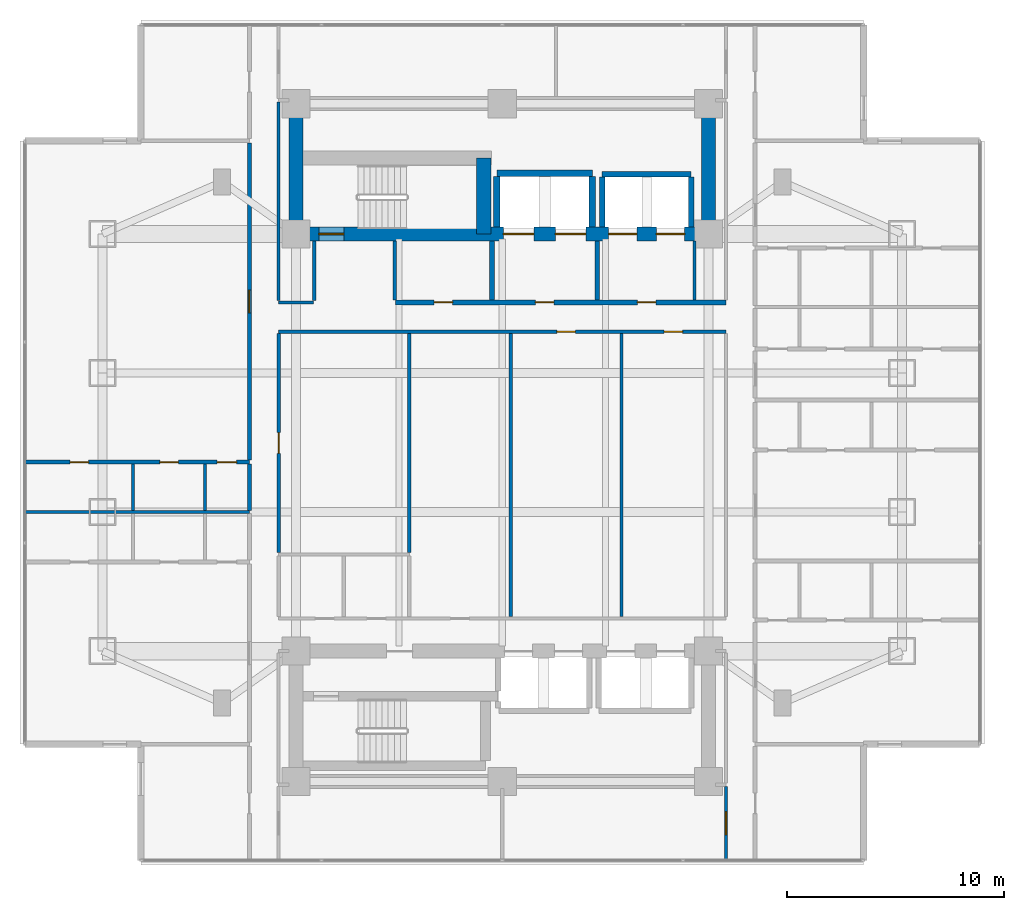
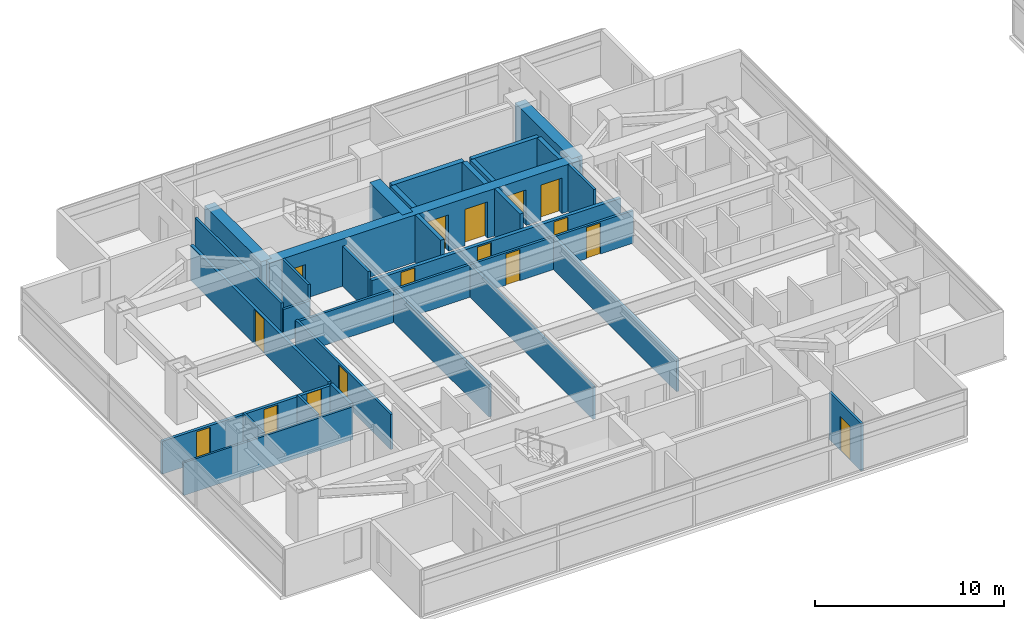
# One storey, part 14 of 24: 30 walls, 16 doors, 16 openings.
"""IFC4 building model written with IfcOpenShell, lengths in metres."""

from ifc_helpers import new_model, si_unit, direction, frame, frame_2d, origin, place, context, subcontext, project, spatial, rectangle, extrude, material, layer, layer_set, type_object, element, fill, save


model = new_model("IFC4")

# Units and contexts
model_context = context("Model", 3, precision=1e-05, world=origin(), true_north=direction((0.0, 1.0)))
body_context = subcontext(model_context, "Body", "Model", "MODEL_VIEW")
ifc_project = project(units=[si_unit("LENGTHUNIT", "METRE"), si_unit("AREAUNIT", "SQUARE_METRE"), si_unit("VOLUMEUNIT", "CUBIC_METRE"), si_unit("PLANEANGLEUNIT", "RADIAN"), si_unit("MASSUNIT", "GRAM", prefix="KILO")], contexts=[model_context])

# Site, building, storey
site_placement = place(None, origin())
site = spatial("IfcSite", under=ifc_project, at=site_placement, CompositionType="ELEMENT")
building_placement = place(site_placement, origin())
building = spatial("IfcBuilding", under=site, at=building_placement, Name="Mirazonda Arch Towers", CompositionType="ELEMENT")
storey_placement = place(building_placement, frame((0.0, 0.0, 68.60009765625)))
storey = spatial("IfcBuildingStorey", under=building, at=storey_placement, Name="L19", CompositionType="ELEMENT", Elevation=68.60009765625)

# Walls
ifc_material_1 = material(Name="Concrete C60/75", Category="concrete")
ifc_layer_1 = layer(ifc_material_1, 0.64990234375, Name="WALL-CORE-650")
ifc_layer_set_1 = layer_set([ifc_layer_1], Name="Concrete C60/75")
wall_type_1 = type_object("IfcWallType", Name="WALL-CORE-650", PredefinedType="SHEAR", material=ifc_layer_set_1)
for number, where, z_axis, x_axis, name in (
    (1, (11.0, 37.60009765625, 0.0), (0.0, 0.0, 1.0), (0.0, 1.0, 0.0), "L19 T1N-W Core Shear Wall"),
    (2, (30.0, 37.60009765625, 0.0), (0.0, 0.0, 1.0), (0.0, 1.0, 0.0), "L19 T1N-E Core Shear Wall"),
):
    element("IfcWall", number, at=place(storey_placement, frame(where, z_axis=z_axis, x_axis=x_axis)), inside=storey, type_object=wall_type_1, Name=name, PredefinedType="SHEAR", context=body_context, shape_type="SweptSolid", body=[
        extrude(rectangle(XDim=6.0, YDim=0.64990234375, at=frame_2d((3.0, 0.0))), origin(), (0.0, 0.0, 1.0), 3.059814453125),
    ])

# Wall, openings, doors
wall_1_placement = place(storey_placement, frame((11.0, 37.60009765625, 0.0), z_axis=(0.0, 0.0, 1.0), x_axis=(1.0, 0.0, 0.0)))
wall_1 = element("IfcWall", 3, at=wall_1_placement, inside=storey, type_object=wall_type_1, Name="L19 T1N-S Core Shear Wall", PredefinedType="SHEAR", context=body_context, shape_type="SweptSolid", body=[
    extrude(rectangle(XDim=19.0, YDim=0.64990234375, at=frame_2d((9.5, 0.0))), origin(), (0.0, 0.0, 1.0), 3.059814453125),
])
opening_1_placement = place(wall_1_placement, frame((1.06005859375, 0.0, 0.0)))
opening_1 = element("IfcOpeningElement", 4, at=opening_1_placement, cuts=wall_1, Name="Opening DR-135", PredefinedType="OPENING", context=body_context, shape_type="SweptSolid", body=[
    extrude(rectangle(XDim=1.14990234375, YDim=2.199951171875, at=frame_2d((0.574951171875, 1.10009765625))), frame((0.0, 0.3349609375, 0.0), z_axis=(0.0, -1.0, 0.0), x_axis=(1.0, 0.0, 0.0)), (0.0, 0.0, 1.0), 0.669921875),
])
opening_2_placement = place(wall_1_placement, frame((9.550048828125, 0.0, 0.0)))
opening_2 = element("IfcOpeningElement", 5, at=opening_2_placement, cuts=wall_1, Name="Opening LD-112", PredefinedType="OPENING", context=body_context, shape_type="SweptSolid", body=[
    extrude(rectangle(XDim=1.39990234375, YDim=2.35009765625, at=frame_2d((0.699951171875, 1.175048828125))), frame((0.0, 0.3349609375, 0.0), z_axis=(0.0, -1.0, 0.0), x_axis=(1.0, 0.0, 0.0)), (0.0, 0.0, 1.0), 0.669921875),
])
opening_3_placement = place(wall_1_placement, frame((11.949951171875, 0.0, 0.0)))
opening_3 = element("IfcOpeningElement", 6, at=opening_3_placement, cuts=wall_1, Name="Opening LD-112", PredefinedType="OPENING", context=body_context, shape_type="SweptSolid", body=[
    extrude(rectangle(XDim=1.39990234375, YDim=2.35009765625, at=frame_2d((0.699951171875, 1.175048828125))), frame((0.0, 0.3349609375, 0.0), z_axis=(0.0, -1.0, 0.0), x_axis=(1.0, 0.0, 0.0)), (0.0, 0.0, 1.0), 0.669921875),
])
opening_4_placement = place(wall_1_placement, frame((14.39990234375, 0.0, 0.0)))
opening_4 = element("IfcOpeningElement", 7, at=opening_4_placement, cuts=wall_1, Name="Opening LD-111", PredefinedType="OPENING", context=body_context, shape_type="SweptSolid", body=[
    extrude(rectangle(XDim=1.300048828125, YDim=2.300048828125, at=frame_2d((0.64990234375, 1.14990234375))), frame((0.0, 0.3349609375, 0.0), z_axis=(0.0, -1.0, 0.0), x_axis=(1.0, 0.0, 0.0)), (0.0, 0.0, 1.0), 0.669921875),
])
opening_5_placement = place(wall_1_placement, frame((16.60009765625, 0.0, 0.0)))
opening_5 = element("IfcOpeningElement", 8, at=opening_5_placement, cuts=wall_1, Name="Opening LD-111", PredefinedType="OPENING", context=body_context, shape_type="SweptSolid", body=[
    extrude(rectangle(XDim=1.300048828125, YDim=2.300048828125, at=frame_2d((0.64990234375, 1.14990234375))), frame((0.0, 0.3349609375, 0.0), z_axis=(0.0, -1.0, 0.0), x_axis=(1.0, 0.0, 0.0)), (0.0, 0.0, 1.0), 0.669921875),
])
ifc_material_2 = material(Name="Architectural Brushed Steel S355", Category="steel")
door_type_1 = type_object("IfcDoorType", Name="DOOR-LIFT-FFL-1400", OperationType="NOTDEFINED", PredefinedType="DOOR", material=ifc_material_2)
door_1_placement = place(opening_2_placement, origin())
door_1 = element("IfcDoor", 9, at=door_1_placement, inside=storey, type_object=door_type_1, Name="L19 Lift Landing Sliding Door FFL-T1", OperationType="DOUBLE_DOOR_SLIDING", OverallHeight=2.35009765625, OverallWidth=1.39990234375, PredefinedType="DOOR", context=body_context, shape_type="SweptSolid", body=[
    extrude(rectangle(XDim=1.39990234375, YDim=2.35009765625, at=frame_2d((0.699951171875, 1.175048828125))), frame((0.0, 0.02490234375, 0.0), z_axis=(0.0, -1.0, 0.0), x_axis=(1.0, 0.0, 0.0)), (0.0, 0.0, 1.0), 0.050048828125),
])
fill(opening_2, door_1)
door_2_placement = place(opening_3_placement, origin())
door_2 = element("IfcDoor", 10, at=door_2_placement, inside=storey, type_object=door_type_1, Name="L19 Lift Landing Sliding Door SVL-T1", OperationType="DOUBLE_DOOR_SLIDING", OverallHeight=2.35009765625, OverallWidth=1.39990234375, PredefinedType="DOOR", context=body_context, shape_type="SweptSolid", body=[
    extrude(rectangle(XDim=1.39990234375, YDim=2.35009765625, at=frame_2d((0.699951171875, 1.175048828125))), frame((0.0, 0.02490234375, 0.0), z_axis=(0.0, -1.0, 0.0), x_axis=(1.0, 0.0, 0.0)), (0.0, 0.0, 1.0), 0.050048828125),
])
fill(opening_3, door_2)
door_type_2 = type_object("IfcDoorType", Name="DOOR-LIFT-LAND-1300", OperationType="NOTDEFINED", PredefinedType="DOOR", material=ifc_material_2)
door_3_placement = place(opening_4_placement, origin())
door_3 = element("IfcDoor", 11, at=door_3_placement, inside=storey, type_object=door_type_2, Name="L19 Lift Landing Sliding Door PL-T1L1", OperationType="DOUBLE_DOOR_SLIDING", OverallHeight=2.300048828125, OverallWidth=1.300048828125, PredefinedType="DOOR", context=body_context, shape_type="SweptSolid", body=[
    extrude(rectangle(XDim=1.300048828125, YDim=2.300048828125, at=frame_2d((0.64990234375, 1.14990234375))), frame((0.0, 0.02490234375, 0.0), z_axis=(0.0, -1.0, 0.0), x_axis=(1.0, 0.0, 0.0)), (0.0, 0.0, 1.0), 0.050048828125),
])
fill(opening_4, door_3)
door_4_placement = place(opening_5_placement, origin())
door_4 = element("IfcDoor", 12, at=door_4_placement, inside=storey, type_object=door_type_2, Name="L19 Lift Landing Sliding Door PL-T1L2", OperationType="DOUBLE_DOOR_SLIDING", OverallHeight=2.300048828125, OverallWidth=1.300048828125, PredefinedType="DOOR", context=body_context, shape_type="SweptSolid", body=[
    extrude(rectangle(XDim=1.300048828125, YDim=2.300048828125, at=frame_2d((0.64990234375, 1.14990234375))), frame((0.0, 0.02490234375, 0.0), z_axis=(0.0, -1.0, 0.0), x_axis=(1.0, 0.0, 0.0)), (0.0, 0.0, 1.0), 0.050048828125),
])
fill(opening_5, door_4)
door_type_3 = type_object("IfcDoorType", Name="DOOR-STAIR-FD90-1150", OperationType="NOTDEFINED", PredefinedType="DOOR", material=ifc_material_2)
door_5_placement = place(opening_1_placement, origin())
door_5 = element("IfcDoor", 13, at=door_5_placement, inside=storey, type_object=door_type_3, Name="L19 Protected Exit Stair North Door", OperationType="SINGLE_SWING_RIGHT", OverallHeight=2.199951171875, OverallWidth=1.14990234375, PredefinedType="DOOR", context=body_context, shape_type="SweptSolid", body=[
    extrude(rectangle(XDim=1.14990234375, YDim=2.199951171875, at=frame_2d((0.574951171875, 1.10009765625))), frame((0.0, 0.02490234375, 0.0), z_axis=(0.0, -1.0, 0.0), x_axis=(1.0, 0.0, 0.0)), (0.0, 0.0, 1.0), 0.050048828125),
])
fill(opening_1, door_5)

# Wall
wall_2_placement = place(storey_placement, frame((19.64990234375, 37.60009765625, 0.0), z_axis=(0.0, 0.0, 1.0), x_axis=(0.0, 1.0, 0.0)))
element("IfcWall", 14, at=wall_2_placement, inside=storey, type_object=wall_type_1, Name="L19 T1N-STE Core Shear Wall", PredefinedType="SHEAR", context=body_context, shape_type="SweptSolid", body=[
    extrude(rectangle(XDim=3.492919921875, YDim=0.64990234375, at=frame_2d((1.74658203125, 0.0))), origin(), (0.0, 0.0, 1.0), 3.059814453125),
])

# Wall, openings, doors
ifc_material_3 = material(Name="Concrete C40/50", Category="concrete")
ifc_layer_2 = layer(ifc_material_3, 0.219970703125, Name="WALL-FFL-220")
ifc_layer_set_2 = layer_set([ifc_layer_2], Name="Concrete C40/50")
wall_type_2 = type_object("IfcWallType", Name="WALL-FFL-220", PredefinedType="SOLIDWALL", material=ifc_layer_set_2)
wall_3_placement = place(storey_placement, frame((15.590087890625, 34.449951171875, 0.0), z_axis=(0.0, 0.0, 1.0), x_axis=(1.0, 0.0, 0.0)))
wall_3 = element("IfcWall", 15, at=wall_3_placement, inside=storey, type_object=wall_type_2, Name="L19 Interior Partition 041", PredefinedType="SOLIDWALL", context=body_context, shape_type="SweptSolid", body=[
    extrude(rectangle(XDim=15.2099609375, YDim=0.219970703125, at=frame_2d((7.60498046875, 0.0))), origin(), (0.0, 0.0, 1.0), 2.10400390625),
])
opening_6_placement = place(wall_3_placement, frame((6.43505859375, 0.0, 0.0)))
opening_6 = element("IfcOpeningElement", 16, at=opening_6_placement, cuts=wall_3, Name="Opening DR-128", PredefinedType="OPENING", context=body_context, shape_type="SweptSolid", body=[
    extrude(rectangle(XDim=0.85009765625, YDim=2.010009765625, at=frame_2d((0.425048828125, 1.0048828125))), frame((0.0, 0.119873046875, 0.0), z_axis=(0.0, -1.0, 0.0), x_axis=(1.0, 0.0, 0.0)), (0.0, 0.0, 1.0), 0.239990234375),
])
opening_7_placement = place(wall_3_placement, frame((11.135009765625, 0.0, 0.0)))
opening_7 = element("IfcOpeningElement", 17, at=opening_7_placement, cuts=wall_3, Name="Opening DR-128", PredefinedType="OPENING", context=body_context, shape_type="SweptSolid", body=[
    extrude(rectangle(XDim=0.85009765625, YDim=2.010009765625, at=frame_2d((0.425048828125, 1.0048828125))), frame((0.0, 0.119873046875, 0.0), z_axis=(0.0, -1.0, 0.0), x_axis=(1.0, 0.0, 0.0)), (0.0, 0.0, 1.0), 0.239990234375),
])
opening_8_placement = place(wall_3_placement, frame((1.77490234375, 0.0, 0.0)))
opening_8 = element("IfcOpeningElement", 18, at=opening_8_placement, cuts=wall_3, Name="Opening DR-128", PredefinedType="OPENING", context=body_context, shape_type="SweptSolid", body=[
    extrude(rectangle(XDim=0.85009765625, YDim=2.010009765625, at=frame_2d((0.425048828125, 1.0048828125))), frame((0.0, 0.119873046875, 0.0), z_axis=(0.0, -1.0, 0.0), x_axis=(1.0, 0.0, 0.0)), (0.0, 0.0, 1.0), 0.239990234375),
])
door_type_4 = type_object("IfcDoorType", Name="DOOR-RISER-FD60-850", OperationType="NOTDEFINED", PredefinedType="DOOR", material=ifc_material_2)
door_6_placement = place(opening_6_placement, origin())
door_6 = element("IfcDoor", 19, at=door_6_placement, inside=storey, type_object=door_type_4, Name="L19 Firefighting Lift Lobby Door", OperationType="SINGLE_SWING_LEFT", OverallHeight=2.010009765625, OverallWidth=0.85009765625, PredefinedType="DOOR", context=body_context, shape_type="SweptSolid", body=[
    extrude(rectangle(XDim=0.85009765625, YDim=2.010009765625, at=frame_2d((0.425048828125, 1.0048828125))), frame((0.0, 0.02490234375, 0.0), z_axis=(0.0, -1.0, 0.0), x_axis=(1.0, 0.0, 0.0)), (0.0, 0.0, 1.0), 0.050048828125),
])
fill(opening_6, door_6)
door_7_placement = place(opening_7_placement, origin())
door_7 = element("IfcDoor", 20, at=door_7_placement, inside=storey, type_object=door_type_4, Name="L19 Passenger Lift Lobby North Door", OperationType="SINGLE_SWING_RIGHT", OverallHeight=2.010009765625, OverallWidth=0.85009765625, PredefinedType="DOOR", context=body_context, shape_type="SweptSolid", body=[
    extrude(rectangle(XDim=0.85009765625, YDim=2.010009765625, at=frame_2d((0.425048828125, 1.0048828125))), frame((0.0, 0.02490234375, 0.0), z_axis=(0.0, -1.0, 0.0), x_axis=(1.0, 0.0, 0.0)), (0.0, 0.0, 1.0), 0.050048828125),
])
fill(opening_7, door_7)
door_8_placement = place(opening_8_placement, origin())
door_8 = element("IfcDoor", 21, at=door_8_placement, inside=storey, type_object=door_type_4, Name="L19 Housekeeping Linen Room Door", OperationType="SINGLE_SWING_LEFT", OverallHeight=2.010009765625, OverallWidth=0.85009765625, PredefinedType="DOOR", context=body_context, shape_type="SweptSolid", body=[
    extrude(rectangle(XDim=0.85009765625, YDim=2.010009765625, at=frame_2d((0.425048828125, 1.0048828125))), frame((0.0, 0.02490234375, 0.0), z_axis=(0.0, -1.0, 0.0), x_axis=(1.0, 0.0, 0.0)), (0.0, 0.0, 1.0), 0.050048828125),
])
fill(opening_8, door_8)

# Walls
for number, where, z_axis, x_axis, name in (
    (22, (20.02490234375, 34.570068359375, 0.0), (0.0, 0.0, 1.0), (0.0, 1.0, 0.0), "L19 Interior Partition 080"),
    (23, (24.875, 34.570068359375, 0.0), (0.0, 0.0, 1.0), (0.0, 1.0, 0.0), "L19 Interior Partition 090"),
):
    element("IfcWall", number, at=place(storey_placement, frame(where, z_axis=z_axis, x_axis=x_axis)), inside=storey, type_object=wall_type_2, Name=name, PredefinedType="SOLIDWALL", context=body_context, shape_type="SweptSolid", body=[
        extrude(rectangle(XDim=2.7099609375, YDim=0.219970703125, at=frame_2d((1.35498046875, 0.0))), origin(), (0.0, 0.0, 1.0), 3.059814453125),
    ])

# Wall, openings, doors
ifc_material_4 = material(Name="Fire-Rated Gypsum Stud Partition")
ifc_layer_3 = layer(ifc_material_4, 0.14990234375, Name="WALL-PART-CORR-150")
ifc_layer_set_3 = layer_set([ifc_layer_3], Name="Fire-Rated Gypsum Stud Partition")
wall_type_3 = type_object("IfcWallType", Name="WALL-PART-CORR-150", PredefinedType="PARTITIONING", material=ifc_layer_set_3)
wall_4_placement = place(storey_placement, frame((10.199951171875, 33.10009765625, 0.0), z_axis=(0.0, 0.0, 1.0), x_axis=(1.0, 0.0, 0.0)))
wall_4 = element("IfcWall", 24, at=wall_4_placement, inside=storey, type_object=wall_type_3, Name="L19 Interior Partition 038", PredefinedType="PARTITIONING", context=body_context, shape_type="SweptSolid", body=[
    extrude(rectangle(XDim=20.60009765625, YDim=0.14990234375, at=frame_2d((10.300048828125, 0.0))), origin(), (0.0, 0.0, 1.0), 2.10400390625),
])
opening_9_placement = place(wall_4_placement, frame((12.8125, 0.0, 0.0)))
opening_9 = element("IfcOpeningElement", 25, at=opening_9_placement, cuts=wall_4, Name="Opening DR-128", PredefinedType="OPENING", context=body_context, shape_type="SweptSolid", body=[
    extrude(rectangle(XDim=0.85009765625, YDim=2.010009765625, at=frame_2d((0.425048828125, 1.0048828125))), frame((0.0, 0.0849609375, 0.0), z_axis=(0.0, -1.0, 0.0), x_axis=(1.0, 0.0, 0.0)), (0.0, 0.0, 1.0), 0.169921875),
])
opening_10_placement = place(wall_4_placement, frame((17.74951171875, 0.0, 0.0)))
opening_10 = element("IfcOpeningElement", 26, at=opening_10_placement, cuts=wall_4, Name="Opening DR-128", PredefinedType="OPENING", context=body_context, shape_type="SweptSolid", body=[
    extrude(rectangle(XDim=0.85009765625, YDim=2.010009765625, at=frame_2d((0.425048828125, 1.0048828125))), frame((0.0, 0.0849609375, 0.0), z_axis=(0.0, -1.0, 0.0), x_axis=(1.0, 0.0, 0.0)), (0.0, 0.0, 1.0), 0.169921875),
])
door_9_placement = place(opening_9_placement, origin())
door_9 = element("IfcDoor", 27, at=door_9_placement, inside=storey, type_object=door_type_4, Name="L19 Private Dining Room Door", OperationType="SINGLE_SWING_RIGHT", OverallHeight=2.010009765625, OverallWidth=0.85009765625, PredefinedType="DOOR", context=body_context, shape_type="SweptSolid", body=[
    extrude(rectangle(XDim=0.85009765625, YDim=2.010009765625, at=frame_2d((0.425048828125, 1.0048828125))), frame((0.0, 0.02490234375, 0.0), z_axis=(0.0, -1.0, 0.0), x_axis=(1.0, 0.0, 0.0)), (0.0, 0.0, 1.0), 0.050048828125),
])
fill(opening_9, door_9)
door_10_placement = place(opening_10_placement, origin())
door_10 = element("IfcDoor", 28, at=door_10_placement, inside=storey, type_object=door_type_4, Name="L19 Collectors Gallery Study Door", OperationType="SINGLE_SWING_LEFT", OverallHeight=2.010009765625, OverallWidth=0.85009765625, PredefinedType="DOOR", context=body_context, shape_type="SweptSolid", body=[
    extrude(rectangle(XDim=0.85009765625, YDim=2.010009765625, at=frame_2d((0.425048828125, 1.0048828125))), frame((0.0, 0.02490234375, 0.0), z_axis=(0.0, -1.0, 0.0), x_axis=(1.0, 0.0, 0.0)), (0.0, 0.0, 1.0), 0.050048828125),
])
fill(opening_10, door_10)

# Wall
wall_5_placement = place(storey_placement, frame((10.199951171875, 34.449951171875, 0.0), z_axis=(0.0, 0.0, 1.0), x_axis=(1.0, 0.0, 0.0)))
element("IfcWall", 29, at=wall_5_placement, inside=storey, type_object=wall_type_3, Name="L19 Interior Partition 040", PredefinedType="PARTITIONING", context=body_context, shape_type="SweptSolid", body=[
    extrude(rectangle(XDim=1.60009765625, YDim=0.14990234375, at=frame_2d((0.800048828125, 0.0))), origin(), (0.0, 0.0, 1.0), 2.10400390625),
])

# Wall, opening, door
wall_6_placement = place(storey_placement, frame((10.206787109375, 22.93505859375, 0.0), z_axis=(0.0, 0.0, 1.0), x_axis=(0.0, 1.0, 0.0)))
wall_6 = element("IfcWall", 30, at=wall_6_placement, inside=storey, type_object=wall_type_3, Name="L19 Interior Partition 071", PredefinedType="PARTITIONING", context=body_context, shape_type="SweptSolid", body=[
    extrude(rectangle(XDim=10.079833984375, YDim=0.14990234375, at=frame_2d((5.0400390625, 0.0))), origin(), (0.0, 0.0, 1.0), 2.27880859375),
])
opening_11_placement = place(wall_6_placement, frame((4.56494140625, 0.0, 0.0)))
opening_11 = element("IfcOpeningElement", 31, at=opening_11_placement, cuts=wall_6, Name="Opening DR-104", PredefinedType="OPENING", context=body_context, shape_type="SweptSolid", body=[
    extrude(rectangle(XDim=0.949951171875, YDim=2.14990234375, at=frame_2d((0.47509765625, 1.074951171875))), frame((0.0, 0.0849609375, 0.0), z_axis=(0.0, -1.0, 0.0), x_axis=(1.0, 0.0, 0.0)), (0.0, 0.0, 1.0), 0.169921875),
])
door_type_5 = type_object("IfcDoorType", Name="DOOR-ROOM-950", OperationType="NOTDEFINED", PredefinedType="DOOR", material=ifc_material_2)
door_11_placement = place(opening_11_placement, origin())
door_11 = element("IfcDoor", 32, at=door_11_placement, inside=storey, type_object=door_type_5, Name="L19 L19 West Courtyard Salon Door", OperationType="SINGLE_SWING_RIGHT", OverallHeight=2.14990234375, OverallWidth=0.949951171875, PredefinedType="DOOR", context=body_context, shape_type="SweptSolid", body=[
    extrude(rectangle(XDim=0.949951171875, YDim=2.14990234375, at=frame_2d((0.47509765625, 1.074951171875))), frame((0.0, 0.02490234375, 0.0), z_axis=(0.0, -1.0, 0.0), x_axis=(1.0, 0.0, 0.0)), (0.0, 0.0, 1.0), 0.050048828125),
])
fill(opening_11, door_11)

# Walls
wall_7_placement = place(storey_placement, frame((10.199951171875, 34.534912109375, 0.0), z_axis=(0.0, 0.0, 1.0), x_axis=(0.0, 1.0, 0.0)))
element("IfcWall", 33, at=wall_7_placement, inside=storey, type_object=wall_type_3, Name="L19 Interior Partition 072", PredefinedType="PARTITIONING", context=body_context, shape_type="SweptSolid", body=[
    extrude(rectangle(XDim=9.130126953125, YDim=0.14990234375, at=frame_2d((4.56494140625, 0.0))), origin(), (0.0, 0.0, 1.0), 2.435791015625),
])
wall_8_placement = place(storey_placement, frame((11.85009765625, 34.534912109375, 0.0), z_axis=(0.0, 0.0, 1.0), x_axis=(0.0, 1.0, 0.0)))
element("IfcWall", 34, at=wall_8_placement, inside=storey, type_object=wall_type_3, Name="L19 Interior Partition 074", PredefinedType="PARTITIONING", context=body_context, shape_type="SweptSolid", body=[
    extrude(rectangle(XDim=2.7451171875, YDim=0.14990234375, at=frame_2d((1.37255859375, 0.0))), origin(), (0.0, 0.0, 1.0), 3.059814453125),
])
wall_9_placement = place(storey_placement, frame((15.550048828125, 34.570068359375, 0.0), z_axis=(0.0, 0.0, 1.0), x_axis=(0.0, 1.0, 0.0)))
element("IfcWall", 35, at=wall_9_placement, inside=storey, type_object=wall_type_3, Name="L19 Interior Partition 076", PredefinedType="PARTITIONING", context=body_context, shape_type="SweptSolid", body=[
    extrude(rectangle(XDim=2.7099609375, YDim=0.14990234375, at=frame_2d((1.35498046875, 0.0))), origin(), (0.0, 0.0, 1.0), 2.5888671875),
])
wall_10_placement = place(storey_placement, frame((16.219970703125, 22.93505859375, 0.0), z_axis=(0.0, 0.0, 1.0), x_axis=(0.0, 1.0, 0.0)))
element("IfcWall", 36, at=wall_10_placement, inside=storey, type_object=wall_type_3, Name="L19 Interior Partition 078", PredefinedType="PARTITIONING", context=body_context, shape_type="SweptSolid", body=[
    extrude(rectangle(XDim=10.079833984375, YDim=0.14990234375, at=frame_2d((5.0400390625, 0.0))), origin(), (0.0, 0.0, 1.0), 2.10400390625),
])
for number, where, z_axis, x_axis, name in (
    (37, (20.885986328125, 19.985107421875, 0.0), (0.0, 0.0, 1.0), (0.0, 1.0, 0.0), "L19 Interior Partition 085"),
    (38, (25.989013671875, 19.985107421875, 0.0), (0.0, 0.0, 1.0), (0.0, 1.0, 0.0), "L19 Interior Partition 092"),
):
    element("IfcWall", number, at=place(storey_placement, frame(where, z_axis=z_axis, x_axis=x_axis)), inside=storey, type_object=wall_type_3, Name=name, PredefinedType="PARTITIONING", context=body_context, shape_type="SweptSolid", body=[
        extrude(rectangle(XDim=13.02978515625, YDim=0.14990234375, at=frame_2d((6.514892578125, 0.0))), origin(), (0.0, 0.0, 1.0), 2.10400390625),
    ])
wall_11_placement = place(storey_placement, frame((29.35009765625, 34.570068359375, 0.0), z_axis=(0.0, 0.0, 1.0), x_axis=(0.0, 1.0, 0.0)))
element("IfcWall", 39, at=wall_11_placement, inside=storey, type_object=wall_type_3, Name="L19 Interior Partition 094", PredefinedType="PARTITIONING", context=body_context, shape_type="SweptSolid", body=[
    extrude(rectangle(XDim=2.7099609375, YDim=0.14990234375, at=frame_2d((1.35498046875, 0.0))), origin(), (0.0, 0.0, 1.0), 3.059814453125),
])

# Wall, opening, door
wall_12_placement = place(storey_placement, frame((30.800048828125, 8.77001953125, 0.0), z_axis=(0.0, 0.0, 1.0), x_axis=(0.0, 1.0, 0.0)))
wall_12 = element("IfcWall", 40, at=wall_12_placement, inside=storey, type_object=wall_type_3, Name="L19 Interior Partition 096", PredefinedType="PARTITIONING", context=body_context, shape_type="SweptSolid", body=[
    extrude(rectangle(XDim=3.39501953125, YDim=0.14990234375, at=frame_2d((1.697509765625, 0.0))), origin(), (0.0, 0.0, 1.0), 3.059814453125),
])
opening_12_placement = place(wall_12_placement, frame((1.172607421875, 0.0, 0.0)))
opening_12 = element("IfcOpeningElement", 41, at=opening_12_placement, cuts=wall_12, Name="Opening DR-121", PredefinedType="OPENING", context=body_context, shape_type="SweptSolid", body=[
    extrude(rectangle(XDim=1.050048828125, YDim=2.199951171875, at=frame_2d((0.52490234375, 1.10009765625))), frame((0.0, 0.0849609375, 0.0), z_axis=(0.0, -1.0, 0.0), x_axis=(1.0, 0.0, 0.0)), (0.0, 0.0, 1.0), 0.169921875),
])
door_type_6 = type_object("IfcDoorType", Name="DOOR-SUITE-FD60-1050", OperationType="NOTDEFINED", PredefinedType="DOOR", material=ifc_material_2)
door_12_placement = place(opening_12_placement, origin())
door_12 = element("IfcDoor", 42, at=door_12_placement, inside=storey, type_object=door_type_6, Name="L19 South Panoramic Study East Door", OperationType="SINGLE_SWING_LEFT", OverallHeight=2.199951171875, OverallWidth=1.050048828125, PredefinedType="DOOR", context=body_context, shape_type="SweptSolid", body=[
    extrude(rectangle(XDim=1.050048828125, YDim=2.199951171875, at=frame_2d((0.52490234375, 1.10009765625))), frame((0.0, 0.02490234375, 0.0), z_axis=(0.0, -1.0, 0.0), x_axis=(1.0, 0.0, 0.0)), (0.0, 0.0, 1.0), 0.050048828125),
])
fill(opening_12, door_12)

# Wall, openings, doors
ifc_material_5 = material(Name="Fire-Rated Gypsum Twin-Stud Assembly")
ifc_layer_4 = layer(ifc_material_5, 0.179931640625, Name="WALL-PART-DEMISE-180")
ifc_layer_set_4 = layer_set([ifc_layer_4], Name="Fire-Rated Gypsum Twin-Stud Assembly")
wall_type_4 = type_object("IfcWallType", Name="WALL-PART-DEMISE-180", PredefinedType="PARTITIONING", material=ifc_layer_set_4)
wall_13_placement = place(storey_placement, frame((-1.47998046875, 27.10009765625, 0.0), z_axis=(0.0, 0.0, 1.0), x_axis=(1.0, 0.0, 0.0)))
wall_13 = element("IfcWall", 43, at=wall_13_placement, inside=storey, type_object=wall_type_4, Name="L19 Interior Partition 030", PredefinedType="PARTITIONING", context=body_context, shape_type="SweptSolid", body=[
    extrude(rectangle(XDim=10.340087890625, YDim=0.179931640625, at=frame_2d((5.169921875, 0.0))), origin(), (0.0, 0.0, 1.0), 2.125),
])
opening_13_placement = place(wall_13_placement, frame((2.0849609375, 0.0, 0.0)))
opening_13 = element("IfcOpeningElement", 44, at=opening_13_placement, cuts=wall_13, Name="Opening DR-128", PredefinedType="OPENING", context=body_context, shape_type="SweptSolid", body=[
    extrude(rectangle(XDim=0.85009765625, YDim=2.010009765625, at=frame_2d((0.425048828125, 1.0048828125))), frame((0.0, 0.099853515625, 0.0), z_axis=(0.0, -1.0, 0.0), x_axis=(1.0, 0.0, 0.0)), (0.0, 0.0, 1.0), 0.199951171875),
])
opening_14_placement = place(wall_13_placement, frame((6.215087890625, 0.0, 0.0)))
opening_14 = element("IfcOpeningElement", 45, at=opening_14_placement, cuts=wall_13, Name="Opening DR-128", PredefinedType="OPENING", context=body_context, shape_type="SweptSolid", body=[
    extrude(rectangle(XDim=0.85009765625, YDim=2.010009765625, at=frame_2d((0.425048828125, 1.0048828125))), frame((0.0, 0.099853515625, 0.0), z_axis=(0.0, -1.0, 0.0), x_axis=(1.0, 0.0, 0.0)), (0.0, 0.0, 1.0), 0.199951171875),
])
opening_15_placement = place(wall_13_placement, frame((8.85009765625, 0.0, 0.0)))
opening_15 = element("IfcOpeningElement", 46, at=opening_15_placement, cuts=wall_13, Name="Opening DR-120", PredefinedType="OPENING", context=body_context, shape_type="SweptSolid", body=[
    extrude(rectangle(XDim=0.89990234375, YDim=2.10009765625, at=frame_2d((0.449951171875, 1.050048828125))), frame((0.0, 0.099853515625, 0.0), z_axis=(0.0, -1.0, 0.0), x_axis=(1.0, 0.0, 0.0)), (0.0, 0.0, 1.0), 0.199951171875),
])
door_13_placement = place(opening_13_placement, origin())
door_13 = element("IfcDoor", 47, at=door_13_placement, inside=storey, type_object=door_type_4, Name="L19 Residence 2 Principal Bedroom Door", OperationType="SINGLE_SWING_RIGHT", OverallHeight=2.010009765625, OverallWidth=0.85009765625, PredefinedType="DOOR", context=body_context, shape_type="SweptSolid", body=[
    extrude(rectangle(XDim=0.85009765625, YDim=2.010009765625, at=frame_2d((0.425048828125, 1.0048828125))), frame((0.0, 0.02490234375, 0.0), z_axis=(0.0, -1.0, 0.0), x_axis=(1.0, 0.0, 0.0)), (0.0, 0.0, 1.0), 0.050048828125),
])
fill(opening_13, door_13)
door_14_placement = place(opening_14_placement, origin())
door_14 = element("IfcDoor", 48, at=door_14_placement, inside=storey, type_object=door_type_4, Name="L19 Residence 2 Fitted Kitchen Door", OperationType="SINGLE_SWING_LEFT", OverallHeight=2.010009765625, OverallWidth=0.85009765625, PredefinedType="DOOR", context=body_context, shape_type="SweptSolid", body=[
    extrude(rectangle(XDim=0.85009765625, YDim=2.010009765625, at=frame_2d((0.425048828125, 1.0048828125))), frame((0.0, 0.02490234375, 0.0), z_axis=(0.0, -1.0, 0.0), x_axis=(1.0, 0.0, 0.0)), (0.0, 0.0, 1.0), 0.050048828125),
])
fill(opening_14, door_14)
door_type_7 = type_object("IfcDoorType", Name="DOOR-WC-900", OperationType="NOTDEFINED", PredefinedType="DOOR", material=ifc_material_2)
door_15_placement = place(opening_15_placement, origin())
door_15 = element("IfcDoor", 49, at=door_15_placement, inside=storey, type_object=door_type_7, Name="L19 Residence 2 Bathroom Door", OperationType="SINGLE_SWING_RIGHT", OverallHeight=2.10009765625, OverallWidth=0.89990234375, PredefinedType="DOOR", context=body_context, shape_type="SweptSolid", body=[
    extrude(rectangle(XDim=0.89990234375, YDim=2.10009765625, at=frame_2d((0.449951171875, 1.050048828125))), frame((0.0, 0.02490234375, 0.0), z_axis=(0.0, -1.0, 0.0), x_axis=(1.0, 0.0, 0.0)), (0.0, 0.0, 1.0), 0.050048828125),
])
fill(opening_15, door_15)

# Wall
wall_14_placement = place(storey_placement, frame((8.860107421875, 24.87255859375, 0.0), z_axis=(0.0, 0.0, 1.0), x_axis=(0.0, 1.0, 0.0)))
element("IfcWall", 50, at=wall_14_placement, inside=storey, type_object=wall_type_4, Name="L19 Interior Partition 065", PredefinedType="PARTITIONING", context=body_context, shape_type="SweptSolid", body=[
    extrude(rectangle(XDim=2.12744140625, YDim=0.179931640625, at=frame_2d((1.063720703125, 0.0))), origin(), (0.0, 0.0, 1.0), 2.27880859375),
])

# Wall, opening, door
wall_15_placement = place(storey_placement, frame((8.860107421875, 27.199951171875, 0.0), z_axis=(0.0, 0.0, 1.0), x_axis=(0.0, 1.0, 0.0)))
wall_15 = element("IfcWall", 51, at=wall_15_placement, inside=storey, type_object=wall_type_4, Name="L19 Interior Partition 066", PredefinedType="PARTITIONING", context=body_context, shape_type="SweptSolid", body=[
    extrude(rectangle(XDim=14.590087890625, YDim=0.179931640625, at=frame_2d((7.294921875, 0.0))), origin(), (0.0, 0.0, 1.0), 2.27880859375),
])
opening_16_placement = place(wall_15_placement, frame((6.77001953125, 0.0, 0.0)))
opening_16 = element("IfcOpeningElement", 52, at=opening_16_placement, cuts=wall_15, Name="Opening DR-121", PredefinedType="OPENING", context=body_context, shape_type="SweptSolid", body=[
    extrude(rectangle(XDim=1.050048828125, YDim=2.199951171875, at=frame_2d((0.52490234375, 1.10009765625))), frame((0.0, 0.099853515625, 0.0), z_axis=(0.0, -1.0, 0.0), x_axis=(1.0, 0.0, 0.0)), (0.0, 0.0, 1.0), 0.199951171875),
])
door_16_placement = place(opening_16_placement, origin())
door_16 = element("IfcDoor", 53, at=door_16_placement, inside=storey, type_object=door_type_6, Name="L19 Penthouse Residence 2 Living & Dining Salon Door", OperationType="SINGLE_SWING_LEFT", OverallHeight=2.199951171875, OverallWidth=1.050048828125, PredefinedType="DOOR", context=body_context, shape_type="SweptSolid", body=[
    extrude(rectangle(XDim=1.050048828125, YDim=2.199951171875, at=frame_2d((0.52490234375, 1.10009765625))), frame((0.0, 0.02490234375, 0.0), z_axis=(0.0, -1.0, 0.0), x_axis=(1.0, 0.0, 0.0)), (0.0, 0.0, 1.0), 0.050048828125),
])
fill(opening_16, door_16)

# Walls
ifc_material_6 = material(Name="Acoustic Fire-Rated Gypsum Partition")
ifc_layer_5 = layer(ifc_material_6, 0.125, Name="WALL-PART-UNIT-125")
ifc_layer_set_5 = layer_set([ifc_layer_5], Name="Acoustic Fire-Rated Gypsum Partition")
wall_type_5 = type_object("IfcWallType", Name="WALL-PART-UNIT-125", PredefinedType="PARTITIONING", material=ifc_layer_set_5)
wall_16_placement = place(storey_placement, frame((-1.47998046875, 24.800048828125, 0.0), z_axis=(0.0, 0.0, 1.0), x_axis=(1.0, 0.0, 0.0)))
element("IfcWall", 54, at=wall_16_placement, inside=storey, type_object=wall_type_5, Name="L19 Interior Partition 026", PredefinedType="PARTITIONING", context=body_context, shape_type="SweptSolid", body=[
    extrude(rectangle(XDim=10.340087890625, YDim=0.125, at=frame_2d((5.169921875, 0.0))), origin(), (0.0, 0.0, 1.0), 2.125),
])
for number, where, z_axis, x_axis, name in (
    (55, (3.5, 24.87255859375, 0.0), (0.0, 0.0, 1.0), (0.0, 1.0, 0.0), "L19 Interior Partition 059"),
    (56, (6.820068359375, 24.87255859375, 0.0), (0.0, 0.0, 1.0), (0.0, 1.0, 0.0), "L19 Interior Partition 061"),
):
    element("IfcWall", number, at=place(storey_placement, frame(where, z_axis=z_axis, x_axis=x_axis)), inside=storey, type_object=wall_type_5, Name=name, PredefinedType="PARTITIONING", context=body_context, shape_type="SweptSolid", body=[
        extrude(rectangle(XDim=2.12744140625, YDim=0.125, at=frame_2d((1.063720703125, 0.0))), origin(), (0.0, 0.0, 1.0), 2.27880859375),
    ])
ifc_layer_6 = layer(ifc_material_3, 0.25, Name="WALL-SHAFT-250")
ifc_layer_set_6 = layer_set([ifc_layer_6], Name="Concrete C40/50")
wall_type_6 = type_object("IfcWallType", Name="WALL-SHAFT-250", PredefinedType="SOLIDWALL", material=ifc_layer_set_6)
wall_17_placement = place(storey_placement, frame((25.10009765625, 40.35009765625, 0.0), z_axis=(0.0, 0.0, 1.0), x_axis=(1.0, 0.0, 0.0)))
element("IfcWall", 57, at=wall_17_placement, inside=storey, type_object=wall_type_6, Name="L19 Interior Partition 052", PredefinedType="SOLIDWALL", context=body_context, shape_type="SweptSolid", body=[
    extrude(rectangle(XDim=4.099853515625, YDim=0.25, at=frame_2d((2.0498046875, 0.0))), origin(), (0.0, 0.0, 1.0), 3.059814453125),
])
for number, where, z_axis, x_axis, name in (
    (58, (25.10009765625, 37.919921875, 0.0), (0.0, 0.0, 1.0), (0.0, 1.0, 0.0), "L19 Interior Partition 091"),
    (59, (29.199951171875, 37.919921875, 0.0), (0.0, 0.0, 1.0), (0.0, 1.0, 0.0), "L19 Interior Partition 095"),
):
    element("IfcWall", number, at=place(storey_placement, frame(where, z_axis=z_axis, x_axis=x_axis)), inside=storey, type_object=wall_type_6, Name=name, PredefinedType="SOLIDWALL", context=body_context, shape_type="SweptSolid", body=[
        extrude(rectangle(XDim=2.295166015625, YDim=0.25, at=frame_2d((1.1474609375, 0.0))), origin(), (0.0, 0.0, 1.0), 3.059814453125),
    ])
ifc_material_7 = material(Name="Concrete C50/60", Category="concrete")
ifc_layer_7 = layer(ifc_material_7, 0.300048828125, Name="WALL-SHAFT-300")
ifc_layer_set_7 = layer_set([ifc_layer_7], Name="Concrete C50/60")
wall_type_7 = type_object("IfcWallType", Name="WALL-SHAFT-300", PredefinedType="SOLIDWALL", material=ifc_layer_set_7)
wall_18_placement = place(storey_placement, frame((20.25, 40.39990234375, 0.0), z_axis=(0.0, 0.0, 1.0), x_axis=(1.0, 0.0, 0.0)))
element("IfcWall", 60, at=wall_18_placement, inside=storey, type_object=wall_type_7, Name="L19 Interior Partition 053", PredefinedType="SOLIDWALL", context=body_context, shape_type="SweptSolid", body=[
    extrude(rectangle(XDim=4.39990234375, YDim=0.300048828125, at=frame_2d((2.199951171875, 0.0))), origin(), (0.0, 0.0, 1.0), 3.059814453125),
])
for number, where, z_axis, x_axis, name in (
    (61, (20.25, 37.919921875, 0.0), (0.0, 0.0, 1.0), (0.0, 1.0, 0.0), "L19 Interior Partition 083"),
    (62, (24.64990234375, 37.919921875, 0.0), (0.0, 0.0, 1.0), (0.0, 1.0, 0.0), "L19 Interior Partition 088"),
):
    element("IfcWall", number, at=place(storey_placement, frame(where, z_axis=z_axis, x_axis=x_axis)), inside=storey, type_object=wall_type_7, Name=name, PredefinedType="SOLIDWALL", context=body_context, shape_type="SweptSolid", body=[
        extrude(rectangle(XDim=2.320068359375, YDim=0.300048828125, at=frame_2d((1.16015625, 0.0))), origin(), (0.0, 0.0, 1.0), 3.059814453125),
    ])

save(model, "model.ifc")
